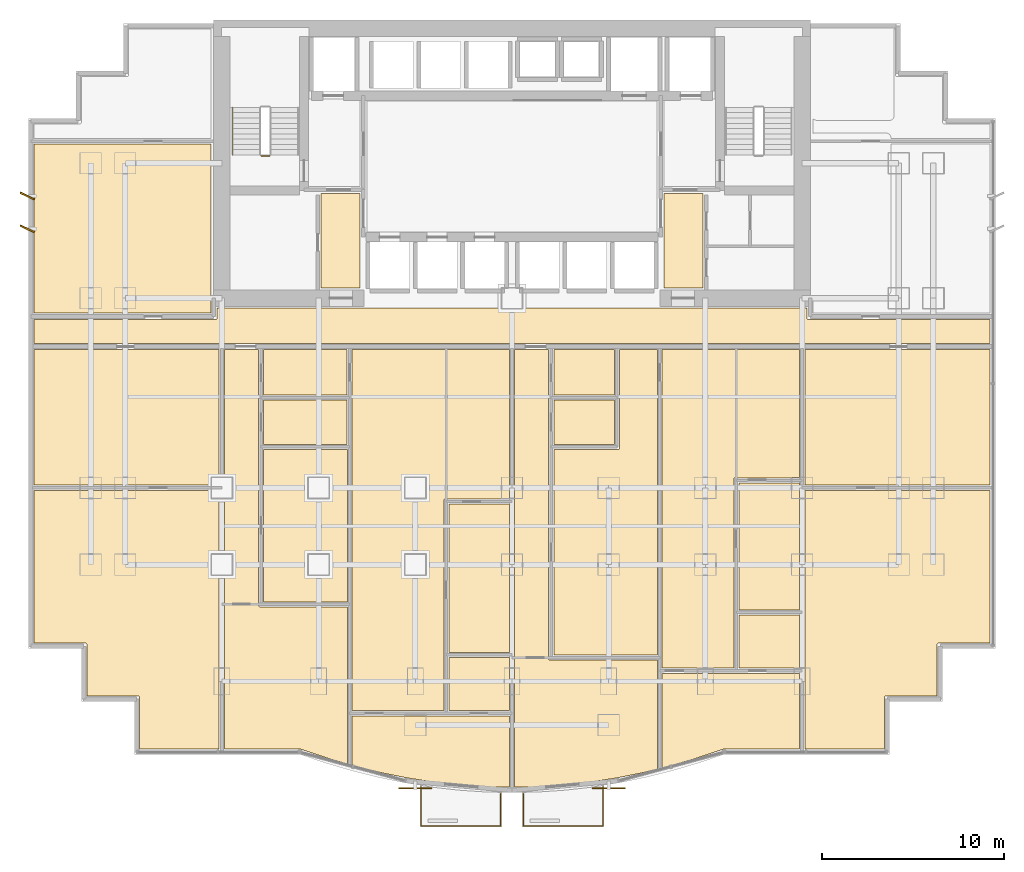
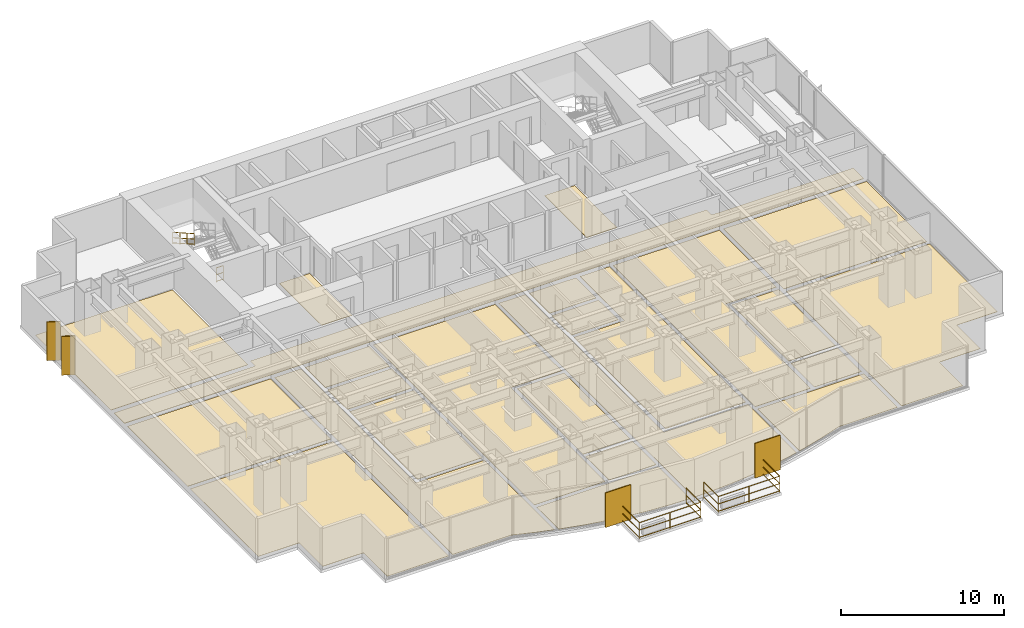
# One storey, part 11 of 12: 24 coverings, 4 railings, 4 shading devices.
"""IFC4 building model written with IfcOpenShell, lengths in metres."""

from ifc_helpers import new_model, si_unit, direction, frame, origin, origin_2d, place, context, subcontext, project, spatial, polyline, rectangle, circle, outline, extrude, source, transform, mapped, material, layer, layer_set, type_object, element, save


model = new_model("IFC4")

# Units and contexts
model_context = context("Model", 3, precision=1e-05, world=origin(), true_north=direction((0.0, 1.0)))
body_context = subcontext(model_context, "Body", "Model", "MODEL_VIEW")
ifc_project = project(units=[si_unit("LENGTHUNIT", "METRE"), si_unit("AREAUNIT", "SQUARE_METRE"), si_unit("VOLUMEUNIT", "CUBIC_METRE"), si_unit("PLANEANGLEUNIT", "RADIAN"), si_unit("MASSUNIT", "GRAM", prefix="KILO")], contexts=[model_context])

# Site, building, storey
site_placement = place(None, origin())
site = spatial("IfcSite", under=ifc_project, at=site_placement, CompositionType="ELEMENT")
building_placement = place(site_placement, origin())
building = spatial("IfcBuilding", under=site, at=building_placement, Name="Qianlan Lanfeng Residences", CompositionType="ELEMENT")
storey_placement = place(building_placement, frame((0.0, 0.0, 47.300048828125)))
storey = spatial("IfcBuildingStorey", under=building, at=storey_placement, Name="L12", CompositionType="ELEMENT", Elevation=47.300048828125)

# Coverings
ifc_material_1 = material(Name="Honed Taitung Granite Stone Flooring", Category="masonry")
ifc_layer_1 = layer(ifc_material_1, 0.030029296875)
ifc_layer_set_1 = layer_set([ifc_layer_1], Name="Honed Taitung Granite Stone Flooring")
covering_type_1 = type_object("IfcCoveringType", Name="FLR-STN-30", PredefinedType="FLOORING", material=ifc_layer_set_1)
covering_1_placement = place(storey_placement, origin())
element("IfcCovering", 1, at=covering_1_placement, inside=storey, type_object=covering_type_1, Name="L12 Residential Corridor Floor Finish", PredefinedType="FLOORING", context=body_context, shape_type="SweptSolid", body=[
    extrude(outline(polyline([(0.2900390625, 22.72998046875), (52.7099609375, 22.72998046875), (52.7099609375, 24.02001953125), (42.739990234375, 24.02001953125), (42.73291015625, 24.02001953125), (42.72607421875, 24.02099609375), (42.719970703125, 24.02294921875), (42.712890625, 24.02490234375), (42.70703125, 24.028076171875), (42.700927734375, 24.031982421875), (42.696044921875, 24.035888671875), (42.69091796875, 24.041015625), (42.68603515625, 24.0458984375), (42.681884765625, 24.051025390625), (42.677978515625, 24.056884765625), (42.675048828125, 24.06298828125), (42.673095703125, 24.070068359375), (42.6708984375, 24.075927734375), (42.669921875, 24.0830078125), (42.669921875, 24.090087890625), (42.669921875, 24.64990234375), (10.330078125, 24.64990234375), (10.330078125, 24.090087890625), (10.330078125, 24.0830078125), (10.3291015625, 24.075927734375), (10.326904296875, 24.070068359375), (10.324951171875, 24.06298828125), (10.322021484375, 24.056884765625), (10.318115234375, 24.051025390625), (10.31396484375, 24.0458984375), (10.30908203125, 24.041015625), (10.303955078125, 24.035888671875), (10.299072265625, 24.031982421875), (10.29296875, 24.028076171875), (10.287109375, 24.02490234375), (10.280029296875, 24.02294921875), (10.27392578125, 24.02099609375), (10.26708984375, 24.02001953125), (10.260009765625, 24.02001953125), (0.2900390625, 24.02001953125), (0.2900390625, 22.72998046875)])), origin(), (0.0, 0.0, 1.0), 0.030029296875),
])
covering_2_placement = place(storey_placement, origin())
element("IfcCovering", 2, at=covering_2_placement, inside=storey, type_object=covering_type_1, Name="L12 Lift Lobby Floor Finish", PredefinedType="FLOORING", context=body_context, shape_type="SweptSolid", body=[
    extrude(outline(polyline([(16.030029296875, 25.760009765625), (18.169921875, 25.760009765625), (18.169921875, 30.949951171875), (16.030029296875, 30.949951171875), (16.030029296875, 25.760009765625)])), origin(), (0.0, 0.0, 1.0), 0.030029296875),
])
covering_3_placement = place(storey_placement, origin())
element("IfcCovering", 3, at=covering_3_placement, inside=storey, type_object=covering_type_1, Name="L12 Lift Lobby Floor Finish", PredefinedType="FLOORING", context=body_context, shape_type="SweptSolid", body=[
    extrude(outline(polyline([(34.830078125, 25.760009765625), (36.969970703125, 25.760009765625), (36.969970703125, 30.949951171875), (34.830078125, 30.949951171875), (34.830078125, 25.760009765625)])), origin(), (0.0, 0.0, 1.0), 0.030029296875),
])
ifc_material_2 = material(Name="Slip-Resistant Porcelain Tile Flooring")
ifc_layer_2 = layer(ifc_material_2, 0.02001953125)
ifc_layer_set_2 = layer_set([ifc_layer_2], Name="Slip-Resistant Porcelain Tile Flooring")
covering_type_2 = type_object("IfcCoveringType", Name="FLR-TIL-20", PredefinedType="FLOORING", material=ifc_layer_set_2)
covering_4_placement = place(storey_placement, origin())
element("IfcCovering", 4, at=covering_4_placement, inside=storey, type_object=covering_type_2, Name="L12 Kitchen Floor Finish", PredefinedType="FLOORING", context=body_context, shape_type="SweptSolid", body=[
    extrude(outline(polyline([(12.889892578125, 17.18994140625), (17.4599609375, 17.18994140625), (17.4599609375, 19.610107421875), (12.889892578125, 19.610107421875), (12.889892578125, 17.18994140625)])), origin(), (0.0, 0.0, 1.0), 0.02001953125),
])
covering_5_placement = place(storey_placement, origin())
element("IfcCovering", 5, at=covering_5_placement, inside=storey, type_object=covering_type_2, Name="L12 Bathroom Floor Finish", PredefinedType="FLOORING", context=body_context, shape_type="SweptSolid", body=[
    extrude(outline(polyline([(12.889892578125, 19.889892578125), (17.4599609375, 19.889892578125), (17.4599609375, 22.3798828125), (12.889892578125, 22.3798828125), (12.889892578125, 19.889892578125)])), origin(), (0.0, 0.0, 1.0), 0.02001953125),
])
covering_6_placement = place(storey_placement, origin())
element("IfcCovering", 6, at=covering_6_placement, inside=storey, type_object=covering_type_2, Name="L12 En-Suite Bathroom Floor Finish", PredefinedType="FLOORING", context=body_context, shape_type="SweptSolid", body=[
    extrude(outline(polyline([(23.0400390625, 2.591064453125), (26.3701171875, 2.591064453125), (26.3701171875, 5.510986328125), (23.0400390625, 5.510986328125), (23.0400390625, 2.591064453125)])), origin(), (0.0, 0.0, 1.0), 0.02001953125),
])
covering_7_placement = place(storey_placement, origin())
element("IfcCovering", 7, at=covering_7_placement, inside=storey, type_object=covering_type_2, Name="L12 Kitchen Floor Finish", PredefinedType="FLOORING", context=body_context, shape_type="SweptSolid", body=[
    extrude(outline(polyline([(28.7900390625, 17.18994140625), (32.110107421875, 17.18994140625), (32.110107421875, 19.610107421875), (28.7900390625, 19.610107421875), (28.7900390625, 17.18994140625)])), origin(), (0.0, 0.0, 1.0), 0.02001953125),
])
covering_8_placement = place(storey_placement, origin())
element("IfcCovering", 8, at=covering_8_placement, inside=storey, type_object=covering_type_2, Name="L12 Bathroom Floor Finish", PredefinedType="FLOORING", context=body_context, shape_type="SweptSolid", body=[
    extrude(outline(polyline([(28.7900390625, 19.889892578125), (32.110107421875, 19.889892578125), (32.110107421875, 22.3798828125), (28.7900390625, 22.3798828125), (28.7900390625, 19.889892578125)])), origin(), (0.0, 0.0, 1.0), 0.02001953125),
])
covering_9_placement = place(storey_placement, origin())
element("IfcCovering", 9, at=covering_9_placement, inside=storey, type_object=covering_type_2, Name="L12 En-Suite Bathroom Floor Finish", PredefinedType="FLOORING", context=body_context, shape_type="SweptSolid", body=[
    extrude(outline(polyline([(38.93994140625, 4.9189453125), (42.27001953125, 4.9189453125), (42.27001953125, 7.839111328125), (38.93994140625, 7.839111328125), (38.93994140625, 4.9189453125)])), origin(), (0.0, 0.0, 1.0), 0.02001953125),
])
ifc_material_3 = material(Name="Engineered Smoked Oak Timber Flooring", Category="wood")
ifc_layer_3 = layer(ifc_material_3, 0.02197265625)
ifc_layer_set_3 = layer_set([ifc_layer_3], Name="Engineered Smoked Oak Timber Flooring")
covering_type_3 = type_object("IfcCoveringType", Name="FLR-TIM-22", PredefinedType="FLOORING", material=ifc_layer_set_3)
covering_10_placement = place(storey_placement, origin())
element("IfcCovering", 10, at=covering_10_placement, inside=storey, type_object=covering_type_3, Name="L12 Living and Dining Room Floor Finish", PredefinedType="FLOORING", context=body_context, shape_type="SweptSolid", body=[
    extrude(outline(polyline([(17.469970703125, -0.3310546875), (17.469970703125, 8.280029296875), (12.679931640625, 8.280029296875), (12.673095703125, 8.280029296875), (12.666015625, 8.281005859375), (12.659912109375, 8.282958984375), (12.653076171875, 8.284912109375), (12.64697265625, 8.2880859375), (12.64111328125, 8.2919921875), (12.635986328125, 8.2958984375), (12.631103515625, 8.301025390625), (12.6259765625, 8.305908203125), (12.6220703125, 8.31103515625), (12.617919921875, 8.31689453125), (12.614990234375, 8.322998046875), (12.613037109375, 8.330078125), (12.611083984375, 8.3359375), (12.610107421875, 8.343017578125), (12.610107421875, 8.35009765625), (12.610107421875, 22.3798828125), (10.72998046875, 22.3798828125), (10.72998046875, 0.489990234375), (14.885986328125, 0.489990234375), (14.89404296875, 0.489990234375), (14.90087890625, 0.488037109375), (14.908935546875, 0.486083984375), (16.39306640625, -0.014892578125), (17.469970703125, -0.3310546875)])), origin(), (0.0, 0.0, 1.0), 0.02197265625),
])
covering_11_placement = place(storey_placement, origin())
element("IfcCovering", 11, at=covering_11_placement, inside=storey, type_object=covering_type_3, Name="L12 Villa Family Sitting Room Floor Finish", PredefinedType="FLOORING", context=body_context, shape_type="SweptSolid", body=[
    extrude(outline(polyline([(12.889892578125, 16.909912109375), (12.889892578125, 8.56005859375), (17.469970703125, 8.56005859375), (17.469970703125, 16.909912109375), (12.889892578125, 16.909912109375)])), origin(), (0.0, 0.0, 1.0), 0.02197265625),
])
covering_12_placement = place(storey_placement, origin())
element("IfcCovering", 12, at=covering_12_placement, inside=storey, type_object=covering_type_3, Name="L12 Private Study Floor Finish", PredefinedType="FLOORING", context=body_context, shape_type="SweptSolid", body=[
    extrude(outline(polyline([(23.0400390625, 5.791015625), (26.3701171875, 5.791015625), (26.3701171875, 13.909912109375), (23.0400390625, 13.909912109375), (23.0400390625, 5.791015625)])), origin(), (0.0, 0.0, 1.0), 0.02197265625),
])
covering_13_placement = place(storey_placement, origin())
element("IfcCovering", 13, at=covering_13_placement, inside=storey, type_object=covering_type_3, Name="L12 Villa Family Sitting Room Floor Finish", PredefinedType="FLOORING", context=body_context, shape_type="SweptSolid", body=[
    extrude(outline(polyline([(17.72998046875, 2.591064453125), (22.760009765625, 2.591064453125), (22.760009765625, 14.1201171875), (22.760009765625, 14.126953125), (22.760986328125, 14.134033203125), (22.762939453125, 14.139892578125), (22.764892578125, 14.14697265625), (22.76806640625, 14.153076171875), (22.77197265625, 14.158935546875), (22.77587890625, 14.1640625), (22.781005859375, 14.1689453125), (22.785888671875, 14.174072265625), (22.791015625, 14.177978515625), (22.797119140625, 14.181884765625), (22.802978515625, 14.18505859375), (22.81005859375, 14.18701171875), (22.81591796875, 14.18896484375), (22.822998046875, 14.18994140625), (22.830078125, 14.18994140625), (26.3701171875, 14.18994140625), (26.3701171875, 22.3798828125), (17.72998046875, 22.3798828125), (17.72998046875, 2.591064453125)])), origin(), (0.0, 0.0, 1.0), 0.02197265625),
])
covering_14_placement = place(storey_placement, origin())
element("IfcCovering", 14, at=covering_14_placement, inside=storey, type_object=covering_type_3, Name="L12 Master Bedroom Floor Finish", PredefinedType="FLOORING", context=body_context, shape_type="SweptSolid", body=[
    extrude(outline(polyline([(17.72998046875, 2.31103515625), (17.72998046875, -0.406982421875), (17.837890625, -0.43896484375), (19.282958984375, -0.797119140625), (20.72607421875, -1.090087890625), (22.169921875, -1.318115234375), (23.613037109375, -1.47998046875), (25.056884765625, -1.576904296875), (26.3701171875, -1.60693359375), (26.3701171875, 2.31103515625), (17.72998046875, 2.31103515625)])), origin(), (0.0, 0.0, 1.0), 0.02197265625),
])
covering_15_placement = place(storey_placement, origin())
element("IfcCovering", 15, at=covering_15_placement, inside=storey, type_object=covering_type_3, Name="L12 Living and Dining Room Floor Finish", PredefinedType="FLOORING", context=body_context, shape_type="SweptSolid", body=[
    extrude(outline(polyline([(34.469970703125, -0.610107421875), (34.469970703125, 5.35400390625), (28.580078125, 5.35400390625), (28.572998046875, 5.35400390625), (28.56591796875, 5.35498046875), (28.56005859375, 5.35693359375), (28.552978515625, 5.35888671875), (28.547119140625, 5.362060546875), (28.541015625, 5.365966796875), (28.535888671875, 5.3701171875), (28.531005859375, 5.375), (28.52587890625, 5.3798828125), (28.52197265625, 5.385009765625), (28.51806640625, 5.39111328125), (28.514892578125, 5.39697265625), (28.512939453125, 5.404052734375), (28.510986328125, 5.409912109375), (28.510009765625, 5.4169921875), (28.510009765625, 5.424072265625), (28.510009765625, 22.3798828125), (26.6298828125, 22.3798828125), (26.6298828125, -1.60693359375), (27.943115234375, -1.576904296875), (29.385986328125, -1.47998046875), (30.830078125, -1.318115234375), (32.27392578125, -1.090087890625), (33.717041015625, -0.797119140625), (34.469970703125, -0.610107421875)])), origin(), (0.0, 0.0, 1.0), 0.02197265625),
])
covering_16_placement = place(storey_placement, origin())
element("IfcCovering", 16, at=covering_16_placement, inside=storey, type_object=covering_type_3, Name="L12 Villa Family Sitting Room Floor Finish", PredefinedType="FLOORING", context=body_context, shape_type="SweptSolid", body=[
    extrude(outline(polyline([(28.7900390625, 5.634033203125), (34.469970703125, 5.634033203125), (34.469970703125, 22.3798828125), (32.389892578125, 22.3798828125), (32.389892578125, 16.97998046875), (32.389892578125, 16.972900390625), (32.388916015625, 16.966064453125), (32.386962890625, 16.9599609375), (32.385009765625, 16.952880859375), (32.382080078125, 16.947021484375), (32.3779296875, 16.94091796875), (32.3740234375, 16.93603515625), (32.368896484375, 16.930908203125), (32.364013671875, 16.926025390625), (32.35888671875, 16.922119140625), (32.35302734375, 16.91796875), (32.346923828125, 16.9150390625), (32.340087890625, 16.9130859375), (32.333984375, 16.910888671875), (32.326904296875, 16.909912109375), (32.320068359375, 16.909912109375), (28.7900390625, 16.909912109375), (28.7900390625, 5.634033203125)])), origin(), (0.0, 0.0, 1.0), 0.02197265625),
])
covering_17_placement = place(storey_placement, origin())
element("IfcCovering", 17, at=covering_17_placement, inside=storey, type_object=covering_type_3, Name="L12 Private Study Floor Finish", PredefinedType="FLOORING", context=body_context, shape_type="SweptSolid", body=[
    extrude(outline(polyline([(38.93994140625, 8.118896484375), (42.27001953125, 8.118896484375), (42.27001953125, 15.073974609375), (38.93994140625, 15.073974609375), (38.93994140625, 8.118896484375)])), origin(), (0.0, 0.0, 1.0), 0.02197265625),
])
covering_18_placement = place(storey_placement, origin())
element("IfcCovering", 18, at=covering_18_placement, inside=storey, type_object=covering_type_3, Name="L12 Villa Family Sitting Room Floor Finish", PredefinedType="FLOORING", context=body_context, shape_type="SweptSolid", body=[
    extrude(outline(polyline([(34.72998046875, 4.9189453125), (38.659912109375, 4.9189453125), (38.659912109375, 15.283935546875), (38.659912109375, 15.291015625), (38.660888671875, 15.298095703125), (38.6630859375, 15.303955078125), (38.6650390625, 15.31103515625), (38.66796875, 15.31689453125), (38.672119140625, 15.322998046875), (38.676025390625, 15.327880859375), (38.680908203125, 15.3330078125), (38.68603515625, 15.337890625), (38.69091796875, 15.342041015625), (38.697021484375, 15.345947265625), (38.702880859375, 15.34912109375), (38.7099609375, 15.35107421875), (38.716064453125, 15.35302734375), (38.722900390625, 15.35400390625), (38.72998046875, 15.35400390625), (42.27001953125, 15.35400390625), (42.27001953125, 22.3798828125), (34.72998046875, 22.3798828125), (34.72998046875, 4.9189453125)])), origin(), (0.0, 0.0, 1.0), 0.02197265625),
])
covering_19_placement = place(storey_placement, origin())
element("IfcCovering", 19, at=covering_19_placement, inside=storey, type_object=covering_type_3, Name="L12 Master Bedroom Floor Finish", PredefinedType="FLOORING", context=body_context, shape_type="SweptSolid", body=[
    extrude(outline(polyline([(34.72998046875, 4.638916015625), (34.72998046875, -0.5458984375), (35.160888671875, -0.43896484375), (36.60693359375, -0.014892578125), (38.091064453125, 0.486083984375), (38.09912109375, 0.488037109375), (38.10595703125, 0.489990234375), (38.114013671875, 0.489990234375), (42.27001953125, 0.489990234375), (42.27001953125, 4.638916015625), (34.72998046875, 4.638916015625)])), origin(), (0.0, 0.0, 1.0), 0.02197265625),
])
covering_20_placement = place(storey_placement, origin())
element("IfcCovering", 20, at=covering_20_placement, inside=storey, type_object=covering_type_3, Name="L12 Sunroom Floor Finish", PredefinedType="FLOORING", context=body_context, shape_type="SweptSolid", body=[
    extrude(outline(polyline([(10.43994140625, 14.64990234375), (0.2900390625, 14.64990234375), (0.2900390625, 6.2900390625), (3.1201171875, 6.2900390625), (3.126953125, 6.2900390625), (3.134033203125, 6.2890625), (3.139892578125, 6.287109375), (3.14697265625, 6.284912109375), (3.153076171875, 6.281982421875), (3.158935546875, 6.278076171875), (3.1640625, 6.27392578125), (3.1689453125, 6.26904296875), (3.174072265625, 6.263916015625), (3.177978515625, 6.259033203125), (3.181884765625, 6.2529296875), (3.18505859375, 6.2470703125), (3.18701171875, 6.239990234375), (3.18896484375, 6.23388671875), (3.18994140625, 6.22705078125), (3.18994140625, 6.219970703125), (3.18994140625, 3.389892578125), (6.02001953125, 3.389892578125), (6.027099609375, 3.389892578125), (6.033935546875, 3.388916015625), (6.0400390625, 3.386962890625), (6.047119140625, 3.385009765625), (6.052978515625, 3.382080078125), (6.05908203125, 3.3779296875), (6.06396484375, 3.3740234375), (6.069091796875, 3.368896484375), (6.073974609375, 3.364013671875), (6.077880859375, 3.35888671875), (6.08203125, 3.35302734375), (6.0849609375, 3.346923828125), (6.0869140625, 3.340087890625), (6.089111328125, 3.333984375), (6.090087890625, 3.326904296875), (6.090087890625, 3.320068359375), (6.090087890625, 0.489990234375), (10.43994140625, 0.489990234375), (10.43994140625, 14.64990234375)])), origin(), (0.0, 0.0, 1.0), 0.02197265625),
])
covering_21_placement = place(storey_placement, origin())
element("IfcCovering", 21, at=covering_21_placement, inside=storey, type_object=covering_type_3, Name="L12 Family Sitting Room Floor Finish", PredefinedType="FLOORING", context=body_context, shape_type="SweptSolid", body=[
    extrude(outline(polyline([(10.43994140625, 22.3798828125), (0.2900390625, 22.3798828125), (0.2900390625, 14.949951171875), (10.43994140625, 14.949951171875), (10.43994140625, 22.3798828125)])), origin(), (0.0, 0.0, 1.0), 0.02197265625),
])
covering_22_placement = place(storey_placement, origin())
element("IfcCovering", 22, at=covering_22_placement, inside=storey, type_object=covering_type_3, Name="L12 Sunroom Floor Finish", PredefinedType="FLOORING", context=body_context, shape_type="SweptSolid", body=[
    extrude(outline(polyline([(52.7099609375, 14.64990234375), (42.56005859375, 14.64990234375), (42.56005859375, 0.489990234375), (46.909912109375, 0.489990234375), (46.909912109375, 3.320068359375), (46.909912109375, 3.326904296875), (46.910888671875, 3.333984375), (46.9130859375, 3.340087890625), (46.9150390625, 3.346923828125), (46.91796875, 3.35302734375), (46.922119140625, 3.35888671875), (46.926025390625, 3.364013671875), (46.930908203125, 3.368896484375), (46.93603515625, 3.3740234375), (46.94091796875, 3.3779296875), (46.947021484375, 3.382080078125), (46.952880859375, 3.385009765625), (46.9599609375, 3.386962890625), (46.966064453125, 3.388916015625), (46.972900390625, 3.389892578125), (46.97998046875, 3.389892578125), (49.81005859375, 3.389892578125), (49.81005859375, 6.219970703125), (49.81005859375, 6.22705078125), (49.81103515625, 6.23388671875), (49.81298828125, 6.239990234375), (49.81494140625, 6.2470703125), (49.818115234375, 6.2529296875), (49.822021484375, 6.259033203125), (49.825927734375, 6.263916015625), (49.8310546875, 6.26904296875), (49.8359375, 6.27392578125), (49.841064453125, 6.278076171875), (49.846923828125, 6.281982421875), (49.85302734375, 6.284912109375), (49.860107421875, 6.287109375), (49.865966796875, 6.2890625), (49.873046875, 6.2900390625), (49.8798828125, 6.2900390625), (52.7099609375, 6.2900390625), (52.7099609375, 14.64990234375)])), origin(), (0.0, 0.0, 1.0), 0.02197265625),
])
covering_23_placement = place(storey_placement, origin())
element("IfcCovering", 23, at=covering_23_placement, inside=storey, type_object=covering_type_3, Name="L12 Private Study Floor Finish", PredefinedType="FLOORING", context=body_context, shape_type="SweptSolid", body=[
    extrude(outline(polyline([(52.7099609375, 22.3798828125), (42.56005859375, 22.3798828125), (42.56005859375, 14.949951171875), (52.7099609375, 14.949951171875), (52.7099609375, 22.3798828125)])), origin(), (0.0, 0.0, 1.0), 0.02197265625),
])
covering_24_placement = place(storey_placement, origin())
element("IfcCovering", 24, at=covering_24_placement, inside=storey, type_object=covering_type_3, Name="L12 Piano Salon Floor Finish", PredefinedType="FLOORING", context=body_context, shape_type="SweptSolid", body=[
    extrude(outline(polyline([(10.0, 33.64990234375), (0.2900390625, 33.64990234375), (0.2900390625, 24.3798828125), (10.0, 24.3798828125), (10.0, 33.64990234375)])), origin(), (0.0, 0.0, 1.0), 0.02197265625),
])

# Railings
ifc_material_4 = material(Name="Anodised Bronze Aluminium and Laminated Glass Guard Balustrade", Category="aluminium")
railing_type_1 = type_object("IfcRailingType", Name="GR-EXT-1220", PredefinedType="BALUSTRADE", material=ifc_material_4)
railing_1_placement = place(storey_placement, frame((25.8798828125, -1.9560546875, 0.0)))
element("IfcRailing", 25, at=railing_1_placement, inside=storey, type_object=railing_type_1, Name="L12 Terrace Safety Guard GR-L12-SB-W", PredefinedType="BALUSTRADE", context=body_context, shape_type="SweptSolid", body=[
    extrude(circle(Radius=0.02490234375, at=origin_2d()), frame((0.0, 0.0, 0.0849609375), z_axis=(0.0, -1.0, 0.0), x_axis=(1.0, 0.0, 0.0)), (0.0, 0.0, 1.0), 1.77392578125),
    extrude(circle(Radius=0.02490234375, at=origin_2d()), frame((0.0, 0.0, 0.63427734375), z_axis=(0.0, -1.0, 0.0), x_axis=(1.0, 0.0, 0.0)), (0.0, 0.0, 1.0), 1.77392578125),
    extrude(circle(Radius=0.02490234375, at=origin_2d()), frame((0.0, 0.0, 1.19482421875), z_axis=(0.0, -1.0, 0.0), x_axis=(1.0, 0.0, 0.0)), (0.0, 0.0, 1.0), 1.77392578125),
    extrude(circle(Radius=0.02490234375, at=origin_2d()), frame((0.0, -1.77392578125, 0.0849609375), z_axis=(-1.0, 0.0, 0.0), x_axis=(0.0, -1.0, 0.0)), (0.0, 0.0, 1.0), 4.35986328125),
    extrude(circle(Radius=0.02490234375, at=origin_2d()), frame((0.0, -1.77392578125, 0.63427734375), z_axis=(-1.0, 0.0, 0.0), x_axis=(0.0, -1.0, 0.0)), (0.0, 0.0, 1.0), 4.35986328125),
    extrude(circle(Radius=0.02490234375, at=origin_2d()), frame((0.0, -1.77392578125, 1.19482421875), z_axis=(-1.0, 0.0, 0.0), x_axis=(0.0, -1.0, 0.0)), (0.0, 0.0, 1.0), 4.35986328125),
    extrude(circle(Radius=0.02490234375, at=origin_2d()), frame((-4.35986328125, -1.77392578125, 0.0849609375), z_axis=(0.0, 1.0, 0.0), x_axis=(-1.0, 0.0, 0.0)), (0.0, 0.0, 1.0), 2.15087890625),
    extrude(circle(Radius=0.02490234375, at=origin_2d()), frame((-4.35986328125, -1.77392578125, 0.63427734375), z_axis=(0.0, 1.0, 0.0), x_axis=(-1.0, 0.0, 0.0)), (0.0, 0.0, 1.0), 2.15087890625),
    extrude(circle(Radius=0.02490234375, at=origin_2d()), frame((-4.35986328125, -1.77392578125, 1.19482421875), z_axis=(0.0, 1.0, 0.0), x_axis=(-1.0, 0.0, 0.0)), (0.0, 0.0, 1.0), 2.15087890625),
    extrude(circle(Radius=0.02099609375, at=origin_2d()), origin(), (0.0, 0.0, 1.0), 1.169921875),
    extrude(circle(Radius=0.02099609375, at=origin_2d()), frame((0.0, -1.77392578125, 0.0)), (0.0, 0.0, 1.0), 1.169921875),
    extrude(circle(Radius=0.02099609375, at=origin_2d()), frame((-2.179931640625, -1.77392578125, 0.0)), (0.0, 0.0, 1.0), 1.169921875),
    extrude(circle(Radius=0.02099609375, at=origin_2d()), frame((-4.35986328125, -1.77392578125, 0.0)), (0.0, 0.0, 1.0), 1.169921875),
    extrude(circle(Radius=0.02099609375, at=origin_2d()), frame((-4.35986328125, 0.376953125, 0.0)), (0.0, 0.0, 1.0), 1.169921875),
])
railing_2_placement = place(storey_placement, frame((31.47998046875, -1.5791015625, 0.0)))
element("IfcRailing", 26, at=railing_2_placement, inside=storey, type_object=railing_type_1, Name="L12 Terrace Safety Guard GR-L12-SB-E", PredefinedType="BALUSTRADE", context=body_context, shape_type="SweptSolid", body=[
    extrude(circle(Radius=0.02490234375, at=origin_2d()), frame((0.0, 0.0, 0.0849609375), z_axis=(0.0, -1.0, 0.0), x_axis=(1.0, 0.0, 0.0)), (0.0, 0.0, 1.0), 2.15087890625),
    extrude(circle(Radius=0.02490234375, at=origin_2d()), frame((0.0, 0.0, 0.63427734375), z_axis=(0.0, -1.0, 0.0), x_axis=(1.0, 0.0, 0.0)), (0.0, 0.0, 1.0), 2.15087890625),
    extrude(circle(Radius=0.02490234375, at=origin_2d()), frame((0.0, 0.0, 1.19482421875), z_axis=(0.0, -1.0, 0.0), x_axis=(1.0, 0.0, 0.0)), (0.0, 0.0, 1.0), 2.15087890625),
    extrude(circle(Radius=0.02490234375, at=origin_2d()), frame((0.0, -2.15087890625, 0.0849609375), z_axis=(-1.0, 0.0, 0.0), x_axis=(0.0, -1.0, 0.0)), (0.0, 0.0, 1.0), 4.35986328125),
    extrude(circle(Radius=0.02490234375, at=origin_2d()), frame((0.0, -2.15087890625, 0.63427734375), z_axis=(-1.0, 0.0, 0.0), x_axis=(0.0, -1.0, 0.0)), (0.0, 0.0, 1.0), 4.35986328125),
    extrude(circle(Radius=0.02490234375, at=origin_2d()), frame((0.0, -2.15087890625, 1.19482421875), z_axis=(-1.0, 0.0, 0.0), x_axis=(0.0, -1.0, 0.0)), (0.0, 0.0, 1.0), 4.35986328125),
    extrude(circle(Radius=0.02490234375, at=origin_2d()), frame((-4.35986328125, -2.15087890625, 0.0849609375), z_axis=(0.0, 1.0, 0.0), x_axis=(-1.0, 0.0, 0.0)), (0.0, 0.0, 1.0), 1.77392578125),
    extrude(circle(Radius=0.02490234375, at=origin_2d()), frame((-4.35986328125, -2.15087890625, 0.63427734375), z_axis=(0.0, 1.0, 0.0), x_axis=(-1.0, 0.0, 0.0)), (0.0, 0.0, 1.0), 1.77392578125),
    extrude(circle(Radius=0.02490234375, at=origin_2d()), frame((-4.35986328125, -2.15087890625, 1.19482421875), z_axis=(0.0, 1.0, 0.0), x_axis=(-1.0, 0.0, 0.0)), (0.0, 0.0, 1.0), 1.77392578125),
    extrude(circle(Radius=0.02099609375, at=origin_2d()), origin(), (0.0, 0.0, 1.0), 1.169921875),
    extrude(circle(Radius=0.02099609375, at=origin_2d()), frame((0.0, -2.15087890625, 0.0)), (0.0, 0.0, 1.0), 1.169921875),
    extrude(circle(Radius=0.02099609375, at=origin_2d()), frame((-2.179931640625, -2.15087890625, 0.0)), (0.0, 0.0, 1.0), 1.169921875),
    extrude(circle(Radius=0.02099609375, at=origin_2d()), frame((-4.35986328125, -2.15087890625, 0.0)), (0.0, 0.0, 1.0), 1.169921875),
    extrude(circle(Radius=0.02099609375, at=origin_2d()), frame((-4.35986328125, -0.376953125, 0.0)), (0.0, 0.0, 1.0), 1.169921875),
])
ifc_material_5 = material(Name="Painted Galvanised Steel Guardrail", Category="steel")
railing_type_2 = type_object("IfcRailingType", Name="GR-ST-1120", PredefinedType="GUARDRAIL", material=ifc_material_5)
railing_3_placement = place(storey_placement, frame((13.219970703125, 33.0, 0.0)))
element("IfcRailing", 27, at=railing_3_placement, inside=storey, type_object=railing_type_2, Name="L12 ST-1 stair guard 4", PredefinedType="GUARDRAIL", context=body_context, shape_type="SweptSolid", body=[
    extrude(circle(Radius=0.02392578125, at=origin_2d()), frame((0.0, 0.0, 0.083984375), z_axis=(-1.0, 0.0, 0.0), x_axis=(0.0, -1.0, 0.0)), (0.0, 0.0, 1.0), 0.47998046875),
    extrude(circle(Radius=0.02392578125, at=origin_2d()), frame((0.0, 0.0, 0.58251953125), z_axis=(-1.0, 0.0, 0.0), x_axis=(0.0, -1.0, 0.0)), (0.0, 0.0, 1.0), 0.47998046875),
    extrude(circle(Radius=0.02392578125, at=origin_2d()), frame((0.0, 0.0, 1.09619140625), z_axis=(-1.0, 0.0, 0.0), x_axis=(0.0, -1.0, 0.0)), (0.0, 0.0, 1.0), 0.47998046875),
    extrude(circle(Radius=0.02099609375, at=origin_2d()), origin(), (0.0, 0.0, 1.0), 1.072021484375),
    extrude(circle(Radius=0.02099609375, at=origin_2d()), frame((-0.47998046875, 0.0, 0.0)), (0.0, 0.0, 1.0), 1.072021484375),
])
ifc_material_6 = material(Name="Brushed Stainless Steel Handrail", Category="steel")
railing_type_3 = type_object("IfcRailingType", Name="HR-ST-920", PredefinedType="HANDRAIL", material=ifc_material_6)
railing_4_placement = place(storey_placement, frame((11.18994140625, 35.659912109375, 1.81494140625)))
element("IfcRailing", 28, at=railing_4_placement, inside=storey, type_object=railing_type_3, Name="L12 ST-1 stair handrail 2", PredefinedType="HANDRAIL", context=body_context, shape_type="SweptSolid", body=[
    extrude(circle(Radius=0.02392578125, at=origin_2d()), frame((0.0, 0.0, 0.083984375), z_axis=(0.0, -0.869137319866, 0.494570843475), x_axis=(1.0, 0.0, 0.0)), (0.0, 0.0, 1.0), 3.0029296875),
    extrude(circle(Radius=0.02392578125, at=origin_2d()), frame((0.0, 0.0, 0.468017578125), z_axis=(0.0, -0.869137319866, 0.494570843475), x_axis=(1.0, 0.0, 0.0)), (0.0, 0.0, 1.0), 3.0029296875),
    extrude(circle(Radius=0.02392578125, at=origin_2d()), frame((0.0, 0.0, 0.8759765625), z_axis=(0.0, -0.869137319866, 0.494570843475), x_axis=(1.0, 0.0, 0.0)), (0.0, 0.0, 1.0), 3.0029296875),
    extrude(circle(Radius=0.02099609375, at=origin_2d()), origin(), (0.0, 0.0, 1.0), 0.851806640625),
    extrude(circle(Radius=0.02099609375, at=origin_2d()), frame((0.0, -0.869873046875, 0.4951171875)), (0.0, 0.0, 1.0), 0.851806640625),
    extrude(circle(Radius=0.02099609375, at=origin_2d()), frame((0.0, -1.739990234375, 0.989990234375)), (0.0, 0.0, 1.0), 0.851806640625),
    extrude(circle(Radius=0.02099609375, at=origin_2d()), frame((0.0, -2.60986328125, 1.485107421875)), (0.0, 0.0, 1.0), 0.851806640625),
])

# Shading devices
ifc_material_7 = material(Name="Perforated Bronze Aluminium Solar Screen", Category="aluminium")
shading_device_type_1 = type_object("IfcShadingDeviceType", Name="SCR-BRZ-1800", PredefinedType="JALOUSIE", material=ifc_material_7)
shared_shape_1 = source(origin(), body_context, "Body", "SweptSolid", [
    extrude(rectangle(XDim=1.800048828125, YDim=0.06005859375, at=origin_2d()), origin(), (0.0, 0.0, 1.0), 2.60009765625),
])
for number, where, z_axis, x_axis, name in (
    (29, (21.199951171875, -1.659912109375, 0.0), (0.0, 0.0, 1.0), (1.0, 0.0, 0.0), "L12 Perforated Bronze Solar Screen 1"),
    (30, (31.800048828125, -1.659912109375, 0.0), (0.0, 0.0, 1.0), (1.0, 0.0, 0.0), "L12 Perforated Bronze Solar Screen 2"),
):
    element("IfcShadingDevice", number, at=place(storey_placement, frame(where, z_axis=z_axis, x_axis=x_axis)), inside=storey, type_object=shading_device_type_1, Name=name, PredefinedType="JALOUSIE", context=body_context, shape_type="MappedRepresentation", body=[
        mapped(shared_shape_1, transform((0.0, 0.0, 0.0), scale=1.0)),
    ])
ifc_material_8 = material(Name="Anodised Bronze Aluminium Solar Fin", Category="aluminium")
shading_device_type_2 = type_object("IfcShadingDeviceType", Name="FIN-BRZ-850", PredefinedType="SHUTTER", material=ifc_material_8)
shared_shape_2 = source(origin(), body_context, "Body", "SweptSolid", [
    extrude(rectangle(XDim=0.85009765625, YDim=0.080078125, at=origin_2d()), origin(), (0.0, 0.0, 1.0), 2.89990234375),
])
for number, where, z_axis, x_axis, name in (
    (31, (-0.070068359375, 29.0, 0.0), (0.0, 0.0, 1.0), (0.898794046299, -0.438371146789, 0.0), "L12 Raked Bronze Solar Fin W1"),
    (32, (-0.070068359375, 30.800048828125, 0.0), (0.0, 0.0, 1.0), (0.898794046299, -0.438371146789, 0.0), "L12 Raked Bronze Solar Fin W2"),
):
    element("IfcShadingDevice", number, at=place(storey_placement, frame(where, z_axis=z_axis, x_axis=x_axis)), inside=storey, type_object=shading_device_type_2, Name=name, PredefinedType="SHUTTER", context=body_context, shape_type="MappedRepresentation", body=[
        mapped(shared_shape_2, transform((0.0, 0.0, 0.0), scale=1.0)),
    ])

save(model, "model.ifc")
